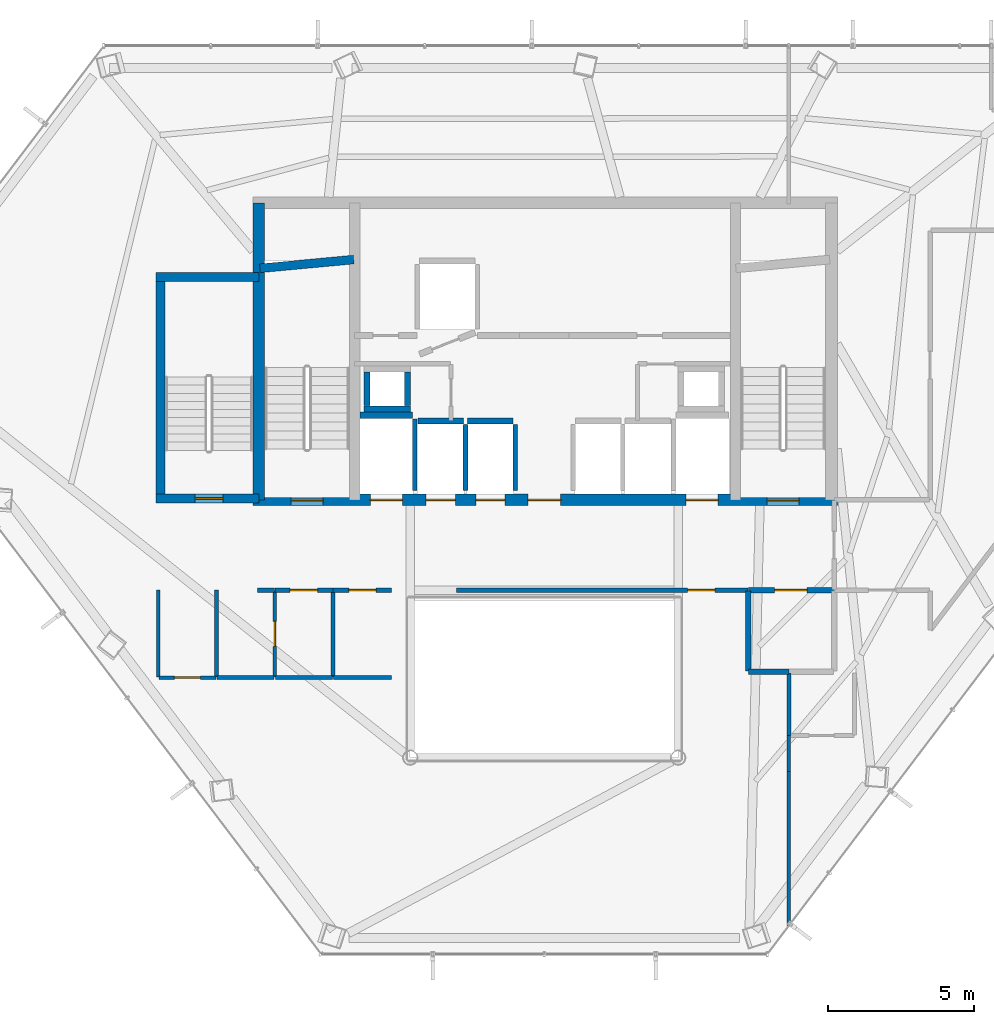
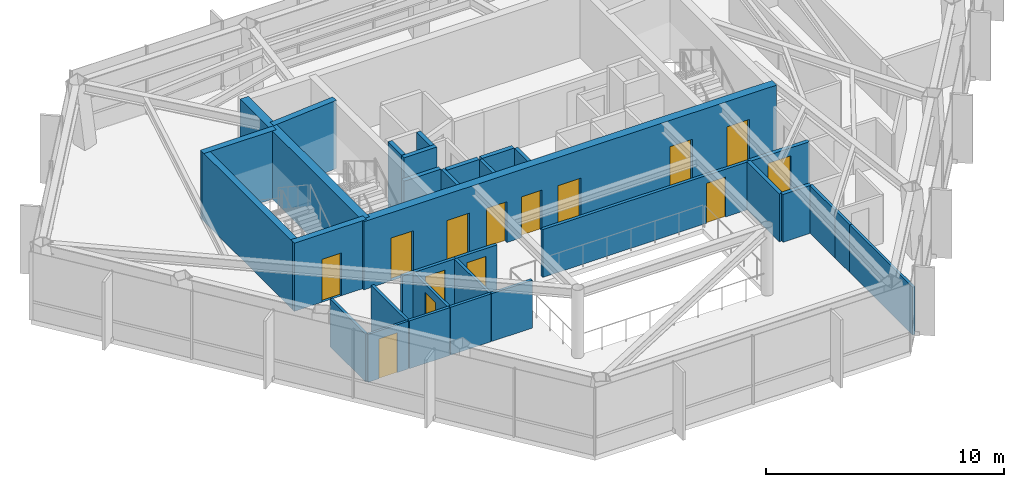
# One storey, part 24 of 27: 33 walls, 14 doors, 14 openings.
"""IFC4 building model written with IfcOpenShell, lengths in metres."""

from ifc_helpers import new_model, si_unit, direction, frame, frame_2d, origin, place, context, subcontext, project, spatial, rectangle, extrude, material, layer, layer_set, type_object, element, fill, save


model = new_model("IFC4")

# Units and contexts
model_context = context("Model", 3, precision=1e-05, world=origin(), true_north=direction((0.0, 1.0)))
body_context = subcontext(model_context, "Body", "Model", "MODEL_VIEW")
ifc_project = project(units=[si_unit("LENGTHUNIT", "METRE"), si_unit("AREAUNIT", "SQUARE_METRE"), si_unit("VOLUMEUNIT", "CUBIC_METRE"), si_unit("PLANEANGLEUNIT", "RADIAN"), si_unit("MASSUNIT", "GRAM", prefix="KILO")], contexts=[model_context])

# Site, building, storey
site_placement = place(None, origin())
site = spatial("IfcSite", under=ifc_project, at=site_placement, CompositionType="ELEMENT")
building_placement = place(site_placement, origin())
building = spatial("IfcBuilding", under=site, at=building_placement, Name="Zarrinselat Tower", CompositionType="ELEMENT")
storey_placement = place(building_placement, frame((0.0, 0.0, 172.0400390625)))
storey = spatial("IfcBuildingStorey", under=building, at=storey_placement, Name="L42", CompositionType="ELEMENT", Elevation=172.0400390625)

# Wall, opening, door
ifc_material_1 = material(Name="Concrete C40/50", Category="concrete")
ifc_layer_1 = layer(ifc_material_1, 0.18994140625)
ifc_layer_set_1 = layer_set([ifc_layer_1], Name="Concrete C40/50")
wall_type_1 = type_object("IfcWallType", Name="WAL-PART-EI120", PredefinedType="PARTITIONING", material=ifc_layer_set_1)
wall_1_placement = place(storey_placement, frame((45.405029296875, 30.14990234375, 0.0), z_axis=(0.0, 0.0, 1.0), x_axis=(1.0, 0.0, 0.0)))
wall_1 = element("IfcWall", 1, at=wall_1_placement, inside=storey, type_object=wall_type_1, Name="L42 Partition Wall 9", PredefinedType="PARTITIONING", context=body_context, shape_type="SweptSolid", body=[
    extrude(rectangle(XDim=2.925048828125, YDim=0.18994140625, at=frame_2d((1.46240234375, 0.0))), origin(), (0.0, 0.0, 1.0), 2.45703125),
])
opening_1_placement = place(wall_1_placement, frame((0.902587890625, 0.0, 0.0)))
opening_1 = element("IfcOpeningElement", 2, at=opening_1_placement, cuts=wall_1, Name="Opening ID-02", PredefinedType="OPENING", context=body_context, shape_type="SweptSolid", body=[
    extrude(rectangle(XDim=1.1201171875, YDim=2.050048828125, at=frame_2d((0.56005859375, 1.02490234375))), frame((0.0, 0.10498046875, 0.0), z_axis=(0.0, -1.0, 0.0), x_axis=(1.0, 0.0, 0.0)), (0.0, 0.0, 1.0), 0.2099609375),
])
ifc_material_2 = material(Name="Steel S355J2", Category="steel")
door_type_1 = type_object("IfcDoorType", Name="DR-INT-FD60-W", OperationType="NOTDEFINED", PredefinedType="DOOR", material=ifc_material_2)
door_1_placement = place(opening_1_placement, origin())
door_1 = element("IfcDoor", 3, at=door_1_placement, inside=storey, type_object=door_type_1, Name="L42 Interior Door P9", OperationType="SINGLE_SWING_RIGHT", OverallHeight=2.050048828125, OverallWidth=1.1201171875, PredefinedType="DOOR", context=body_context, shape_type="SweptSolid", body=[
    extrude(rectangle(XDim=1.1201171875, YDim=2.050048828125, at=frame_2d((0.56005859375, 1.02490234375))), frame((0.0, 0.02490234375, 0.0), z_axis=(0.0, -1.0, 0.0), x_axis=(1.0, 0.0, 0.0)), (0.0, 0.0, 1.0), 0.050048828125),
])
fill(opening_1, door_1)

# Walls
wall_2_placement = place(storey_placement, frame((45.419921875, 27.35009765625, 0.0), z_axis=(0.0, 0.0, 1.0), x_axis=(1.0, 0.0, 0.0)))
element("IfcWall", 4, at=wall_2_placement, inside=storey, type_object=wall_type_1, Name="L42 Partition Wall 15", PredefinedType="PARTITIONING", context=body_context, shape_type="SweptSolid", body=[
    extrude(rectangle(XDim=1.375, YDim=0.18994140625, at=frame_2d((0.6875, 0.0))), origin(), (0.0, 0.0, 1.0), 2.45703125),
])
wall_3_placement = place(storey_placement, frame((45.39990234375, 27.3701171875, 0.0), z_axis=(0.0, 0.0, 1.0), x_axis=(0.0, 1.0, 0.0)))
element("IfcWall", 5, at=wall_3_placement, inside=storey, type_object=wall_type_1, Name="L42 Partition Wall 16", PredefinedType="PARTITIONING", context=body_context, shape_type="SweptSolid", body=[
    extrude(rectangle(XDim=2.759765625, YDim=0.18994140625, at=frame_2d((1.3798828125, 0.0))), origin(), (0.0, 0.0, 1.0), 2.45703125),
])
ifc_material_3 = material(Name="Fire-Rated Gypsum Board Partition", Category="gypsum")
ifc_layer_2 = layer(ifc_material_3, 0.14990234375)
ifc_layer_set_2 = layer_set([ifc_layer_2], Name="Fire-Rated Gypsum Board Partition")
wall_type_2 = type_object("IfcWallType", Name="WAL-PART-EI60", PredefinedType="PARTITIONING", material=ifc_layer_set_2)
wall_4_placement = place(storey_placement, frame((28.550048828125, 30.14990234375, 0.0), z_axis=(0.0, 0.0, 1.0), x_axis=(1.0, 0.0, 0.0)))
element("IfcWall", 6, at=wall_4_placement, inside=storey, type_object=wall_type_2, Name="L42 Partition Wall 11", PredefinedType="PARTITIONING", context=body_context, shape_type="SweptSolid", body=[
    extrude(rectangle(XDim=0.594970703125, YDim=0.14990234375, at=frame_2d((0.29736328125, 0.0))), origin(), (0.0, 0.0, 1.0), 2.45703125),
])

# Wall, opening, door
wall_5_placement = place(storey_placement, frame((29.155029296875, 30.14990234375, 0.0), z_axis=(0.0, 0.0, 1.0), x_axis=(1.0, 0.0, 0.0)))
wall_5 = element("IfcWall", 7, at=wall_5_placement, inside=storey, type_object=wall_type_2, Name="L42 Partition Wall 12", PredefinedType="PARTITIONING", context=body_context, shape_type="SweptSolid", body=[
    extrude(rectangle(XDim=1.989990234375, YDim=0.14990234375, at=frame_2d((0.9951171875, 0.0))), origin(), (0.0, 0.0, 1.0), 2.45703125),
])
opening_2_placement = place(wall_5_placement, frame((0.52490234375, 0.0, 0.0)))
opening_2 = element("IfcOpeningElement", 8, at=opening_2_placement, cuts=wall_5, Name="Opening ID-04", PredefinedType="OPENING", context=body_context, shape_type="SweptSolid", body=[
    extrude(rectangle(XDim=0.93994140625, YDim=2.050048828125, at=frame_2d((0.469970703125, 1.02490234375))), frame((0.0, 0.0849609375, 0.0), z_axis=(0.0, -1.0, 0.0), x_axis=(1.0, 0.0, 0.0)), (0.0, 0.0, 1.0), 0.169921875),
])
ifc_material_4 = material(Name="Fire-Rated Gypsum Board Partition")
door_type_2 = type_object("IfcDoorType", Name="DR-INT-FD30-ENT", OperationType="NOTDEFINED", PredefinedType="DOOR", material=ifc_material_4)
door_2_placement = place(opening_2_placement, origin())
door_2 = element("IfcDoor", 9, at=door_2_placement, inside=storey, type_object=door_type_2, Name="L42 Interior Door P12", OperationType="SINGLE_SWING_RIGHT", OverallHeight=2.050048828125, OverallWidth=0.93994140625, PredefinedType="DOOR", context=body_context, shape_type="SweptSolid", body=[
    extrude(rectangle(XDim=0.93994140625, YDim=2.050048828125, at=frame_2d((0.469970703125, 1.02490234375))), frame((0.0, 0.02490234375, 0.0), z_axis=(0.0, -1.0, 0.0), x_axis=(1.0, 0.0, 0.0)), (0.0, 0.0, 1.0), 0.050048828125),
])
fill(opening_2, door_2)

wall_6_placement = place(storey_placement, frame((31.155029296875, 30.14990234375, 0.0), z_axis=(0.0, 0.0, 1.0), x_axis=(1.0, 0.0, 0.0)))
wall_6 = element("IfcWall", 10, at=wall_6_placement, inside=storey, type_object=wall_type_2, Name="L42 Partition Wall 13", PredefinedType="PARTITIONING", context=body_context, shape_type="SweptSolid", body=[
    extrude(rectangle(XDim=2.010009765625, YDim=0.14990234375, at=frame_2d((1.0048828125, 0.0))), origin(), (0.0, 0.0, 1.0), 2.45703125),
])
opening_3_placement = place(wall_6_placement, frame((0.534912109375, 0.0, 0.0)))
opening_3 = element("IfcOpeningElement", 11, at=opening_3_placement, cuts=wall_6, Name="Opening ID-04", PredefinedType="OPENING", context=body_context, shape_type="SweptSolid", body=[
    extrude(rectangle(XDim=0.93994140625, YDim=2.050048828125, at=frame_2d((0.469970703125, 1.02490234375))), frame((0.0, 0.0849609375, 0.0), z_axis=(0.0, -1.0, 0.0), x_axis=(1.0, 0.0, 0.0)), (0.0, 0.0, 1.0), 0.169921875),
])
door_3_placement = place(opening_3_placement, origin())
door_3 = element("IfcDoor", 12, at=door_3_placement, inside=storey, type_object=door_type_2, Name="L42 Interior Door P13", OperationType="SINGLE_SWING_LEFT", OverallHeight=2.050048828125, OverallWidth=0.93994140625, PredefinedType="DOOR", context=body_context, shape_type="SweptSolid", body=[
    extrude(rectangle(XDim=0.93994140625, YDim=2.050048828125, at=frame_2d((0.469970703125, 1.02490234375))), frame((0.0, 0.02490234375, 0.0), z_axis=(0.0, -1.0, 0.0), x_axis=(1.0, 0.0, 0.0)), (0.0, 0.0, 1.0), 0.050048828125),
])
fill(opening_3, door_3)

wall_7_placement = place(storey_placement, frame((35.385009765625, 30.14990234375, 0.0), z_axis=(0.0, 0.0, 1.0), x_axis=(1.0, 0.0, 0.0)))
wall_7 = element("IfcWall", 13, at=wall_7_placement, inside=storey, type_object=wall_type_2, Name="L42 Partition Wall 14", PredefinedType="PARTITIONING", context=body_context, shape_type="SweptSolid", body=[
    extrude(rectangle(XDim=10.010009765625, YDim=0.14990234375, at=frame_2d((5.0048828125, 0.0))), origin(), (0.0, 0.0, 1.0), 2.45703125),
])
opening_4_placement = place(wall_7_placement, frame((7.93505859375, 0.0, 0.0)))
opening_4 = element("IfcOpeningElement", 14, at=opening_4_placement, cuts=wall_7, Name="Opening ID-04", PredefinedType="OPENING", context=body_context, shape_type="SweptSolid", body=[
    extrude(rectangle(XDim=0.93994140625, YDim=2.050048828125, at=frame_2d((0.469970703125, 1.02490234375))), frame((0.0, 0.0849609375, 0.0), z_axis=(0.0, -1.0, 0.0), x_axis=(1.0, 0.0, 0.0)), (0.0, 0.0, 1.0), 0.169921875),
])
door_4_placement = place(opening_4_placement, origin())
door_4 = element("IfcDoor", 15, at=door_4_placement, inside=storey, type_object=door_type_2, Name="L42 Interior Door P14", OperationType="SINGLE_SWING_RIGHT", OverallHeight=2.050048828125, OverallWidth=0.93994140625, PredefinedType="DOOR", context=body_context, shape_type="SweptSolid", body=[
    extrude(rectangle(XDim=0.93994140625, YDim=2.050048828125, at=frame_2d((0.469970703125, 1.02490234375))), frame((0.0, 0.02490234375, 0.0), z_axis=(0.0, -1.0, 0.0), x_axis=(1.0, 0.0, 0.0)), (0.0, 0.0, 1.0), 0.050048828125),
])
fill(opening_4, door_4)

ifc_material_5 = material(Name="Fire-Rated Gypsum Board Partition", Category="gypsum")
ifc_layer_3 = layer(ifc_material_5, 0.1201171875)
ifc_layer_set_3 = layer_set([ifc_layer_3], Name="Fire-Rated Gypsum Board Partition")
wall_type_3 = type_object("IfcWallType", Name="WAL-PART-STD", PredefinedType="PARTITIONING", material=ifc_layer_set_3)
wall_8_placement = place(storey_placement, frame((25.169921875, 27.14990234375, 0.0), z_axis=(0.0, 0.0, 1.0), x_axis=(1.0, 0.0, 0.0)))
wall_8 = element("IfcWall", 16, at=wall_8_placement, inside=storey, type_object=wall_type_3, Name="L42 Partition Wall 29", PredefinedType="PARTITIONING", context=body_context, shape_type="SweptSolid", body=[
    extrude(rectangle(XDim=1.9599609375, YDim=0.1201171875, at=frame_2d((0.97998046875, 0.0))), origin(), (0.0, 0.0, 1.0), 2.45703125),
])
opening_5_placement = place(wall_8_placement, frame((0.530029296875, 0.0, 0.0)))
opening_5 = element("IfcOpeningElement", 17, at=opening_5_placement, cuts=wall_8, Name="Opening ID-05", PredefinedType="OPENING", context=body_context, shape_type="SweptSolid", body=[
    extrude(rectangle(XDim=0.89990234375, YDim=2.050048828125, at=frame_2d((0.449951171875, 1.02490234375))), frame((0.0, 0.070068359375, 0.0), z_axis=(0.0, -1.0, 0.0), x_axis=(1.0, 0.0, 0.0)), (0.0, 0.0, 1.0), 0.14013671875),
])
ifc_material_6 = material(Name="Extruded Aluminium Alloy EN AW-6063 T6", Category="aluminium")
door_type_3 = type_object("IfcDoorType", Name="DR-INT-STD-920", OperationType="NOTDEFINED", PredefinedType="DOOR", material=ifc_material_6)
door_5_placement = place(opening_5_placement, origin())
door_5 = element("IfcDoor", 18, at=door_5_placement, inside=storey, type_object=door_type_3, Name="L42 Interior Door P29", OperationType="SINGLE_SWING_LEFT", OverallHeight=2.050048828125, OverallWidth=0.89990234375, PredefinedType="DOOR", context=body_context, shape_type="SweptSolid", body=[
    extrude(rectangle(XDim=0.89990234375, YDim=2.050048828125, at=frame_2d((0.449951171875, 1.02490234375))), frame((0.0, 0.02490234375, 0.0), z_axis=(0.0, -1.0, 0.0), x_axis=(1.0, 0.0, 0.0)), (0.0, 0.0, 1.0), 0.050048828125),
])
fill(opening_5, door_5)

# Walls
wall_9_placement = place(storey_placement, frame((25.14990234375, 27.169921875, 0.0), z_axis=(0.0, 0.0, 1.0), x_axis=(0.0, 1.0, 0.0)))
element("IfcWall", 19, at=wall_9_placement, inside=storey, type_object=wall_type_3, Name="L42 Partition Wall 30", PredefinedType="PARTITIONING", context=body_context, shape_type="SweptSolid", body=[
    extrude(rectangle(XDim=2.97998046875, YDim=0.1201171875, at=frame_2d((1.489990234375, 0.0))), origin(), (0.0, 0.0, 1.0), 2.45703125),
])
wall_10_placement = place(storey_placement, frame((46.800048828125, 23.931640625, 0.0), z_axis=(0.0, 0.0, 1.0), x_axis=(0.0, 1.0, 0.0)))
element("IfcWall", 20, at=wall_10_placement, inside=storey, type_object=wall_type_3, Name="L42 Partition Wall 36", PredefinedType="PARTITIONING", context=body_context, shape_type="SweptSolid", body=[
    extrude(rectangle(XDim=1.227783203125, YDim=0.1201171875, at=frame_2d((0.61376953125, 0.0))), origin(), (0.0, 0.0, 1.0), 2.45703125),
])
wall_11_placement = place(storey_placement, frame((46.800048828125, 18.641845703125, 0.0), z_axis=(0.0, 0.0, 1.0), x_axis=(0.0, 1.0, 0.0)))
element("IfcWall", 21, at=wall_11_placement, inside=storey, type_object=wall_type_3, Name="L42 Partition Wall 37", PredefinedType="PARTITIONING", context=body_context, shape_type="SweptSolid", body=[
    extrude(rectangle(XDim=5.289794921875, YDim=0.1201171875, at=frame_2d((2.64501953125, 0.0))), origin(), (0.0, 0.0, 1.0), 2.45703125),
])
ifc_material_7 = material(Name="Fire-Rated Gypsum Board Partition", Category="gypsum")
ifc_layer_4 = layer(ifc_material_7, 0.135009765625)
ifc_layer_set_4 = layer_set([ifc_layer_4], Name="Fire-Rated Gypsum Board Partition")
wall_type_4 = type_object("IfcWallType", Name="WAL-PART-WET", PredefinedType="PARTITIONING", material=ifc_layer_set_4)
wall_12_placement = place(storey_placement, frame((27.14990234375, 27.169921875, 0.0), z_axis=(0.0, 0.0, 1.0), x_axis=(0.0, 1.0, 0.0)))
element("IfcWall", 22, at=wall_12_placement, inside=storey, type_object=wall_type_4, Name="L42 Partition Wall 28", PredefinedType="PARTITIONING", context=body_context, shape_type="SweptSolid", body=[
    extrude(rectangle(XDim=2.97998046875, YDim=0.135009765625, at=frame_2d((1.489990234375, 0.0))), origin(), (0.0, 0.0, 1.0), 2.45703125),
])

# Wall, opening, door
wall_13_placement = place(storey_placement, frame((29.14990234375, 27.169921875, 0.0), z_axis=(0.0, 0.0, 1.0), x_axis=(0.0, 1.0, 0.0)))
wall_13 = element("IfcWall", 23, at=wall_13_placement, inside=storey, type_object=wall_type_4, Name="L42 Partition Wall 31", PredefinedType="PARTITIONING", context=body_context, shape_type="SweptSolid", body=[
    extrude(rectangle(XDim=2.9599609375, YDim=0.135009765625, at=frame_2d((1.47998046875, 0.0))), origin(), (0.0, 0.0, 1.0), 2.45703125),
])
opening_6_placement = place(wall_13_placement, frame((1.050048828125, 0.0, 0.0)))
opening_6 = element("IfcOpeningElement", 24, at=opening_6_placement, cuts=wall_13, Name="Opening ID-06", PredefinedType="OPENING", context=body_context, shape_type="SweptSolid", body=[
    extrude(rectangle(XDim=0.860107421875, YDim=2.050048828125, at=frame_2d((0.43017578125, 1.02490234375))), frame((0.0, 0.077392578125, 0.0), z_axis=(0.0, -1.0, 0.0), x_axis=(1.0, 0.0, 0.0)), (0.0, 0.0, 1.0), 0.155029296875),
])
ifc_material_8 = material(Name="Extruded Aluminium Alloy EN AW-6063 T6", Category="aluminium")
door_type_4 = type_object("IfcDoorType", Name="DR-INT-WET-900", OperationType="NOTDEFINED", PredefinedType="DOOR", material=ifc_material_8)
door_6_placement = place(opening_6_placement, origin())
door_6 = element("IfcDoor", 25, at=door_6_placement, inside=storey, type_object=door_type_4, Name="L42 Interior Door P31", OperationType="SINGLE_SWING_RIGHT", OverallHeight=2.050048828125, OverallWidth=0.860107421875, PredefinedType="DOOR", context=body_context, shape_type="SweptSolid", body=[
    extrude(rectangle(XDim=0.860107421875, YDim=2.050048828125, at=frame_2d((0.43017578125, 1.02490234375))), frame((0.0, 0.02490234375, 0.0), z_axis=(0.0, -1.0, 0.0), x_axis=(1.0, 0.0, 0.0)), (0.0, 0.0, 1.0), 0.050048828125),
])
fill(opening_6, door_6)

# Walls
wall_14_placement = place(storey_placement, frame((27.169921875, 27.14990234375, 0.0), z_axis=(0.0, 0.0, 1.0), x_axis=(1.0, 0.0, 0.0)))
element("IfcWall", 26, at=wall_14_placement, inside=storey, type_object=wall_type_4, Name="L42 Partition Wall 32", PredefinedType="PARTITIONING", context=body_context, shape_type="SweptSolid", body=[
    extrude(rectangle(XDim=1.9599609375, YDim=0.135009765625, at=frame_2d((0.97998046875, 0.0))), origin(), (0.0, 0.0, 1.0), 2.45703125),
])
wall_15_placement = place(storey_placement, frame((31.14990234375, 27.169921875, 0.0), z_axis=(0.0, 0.0, 1.0), x_axis=(0.0, 1.0, 0.0)))
element("IfcWall", 27, at=wall_15_placement, inside=storey, type_object=wall_type_4, Name="L42 Partition Wall 33", PredefinedType="PARTITIONING", context=body_context, shape_type="SweptSolid", body=[
    extrude(rectangle(XDim=2.9599609375, YDim=0.135009765625, at=frame_2d((1.47998046875, 0.0))), origin(), (0.0, 0.0, 1.0), 2.45703125),
])
wall_16_placement = place(storey_placement, frame((29.169921875, 27.14990234375, 0.0), z_axis=(0.0, 0.0, 1.0), x_axis=(1.0, 0.0, 0.0)))
element("IfcWall", 28, at=wall_16_placement, inside=storey, type_object=wall_type_4, Name="L42 Partition Wall 34", PredefinedType="PARTITIONING", context=body_context, shape_type="SweptSolid", body=[
    extrude(rectangle(XDim=1.9599609375, YDim=0.135009765625, at=frame_2d((0.97998046875, 0.0))), origin(), (0.0, 0.0, 1.0), 2.45703125),
])
wall_17_placement = place(storey_placement, frame((31.169921875, 27.14990234375, 0.0), z_axis=(0.0, 0.0, 1.0), x_axis=(1.0, 0.0, 0.0)))
element("IfcWall", 29, at=wall_17_placement, inside=storey, type_object=wall_type_4, Name="L42 Partition Wall 35", PredefinedType="PARTITIONING", context=body_context, shape_type="SweptSolid", body=[
    extrude(rectangle(XDim=1.97998046875, YDim=0.135009765625, at=frame_2d((0.989990234375, 0.0))), origin(), (0.0, 0.0, 1.0), 2.45703125),
])
wall_18_placement = place(storey_placement, frame((46.800048828125, 25.16943359375, 0.0), z_axis=(0.0, 0.0, 1.0), x_axis=(0.0, 1.0, 0.0)))
element("IfcWall", 30, at=wall_18_placement, inside=storey, type_object=wall_type_4, Name="L42 Partition Wall 38", PredefinedType="PARTITIONING", context=body_context, shape_type="SweptSolid", body=[
    extrude(rectangle(XDim=2.139892578125, YDim=0.135009765625, at=frame_2d((1.06982421875, 0.0))), origin(), (0.0, 0.0, 1.0), 2.45703125),
])
ifc_material_9 = material(Name="Concrete C40/50", Category="concrete")
ifc_layer_5 = layer(ifc_material_9, 0.2099609375)
ifc_layer_set_5 = layer_set([ifc_layer_5], Name="Concrete C40/50")
wall_type_5 = type_object("IfcWallType", Name="WAL-SHAFT-210", PredefinedType="SOLIDWALL", material=ifc_layer_set_5)
wall_19_placement = place(storey_placement, frame((32.080078125, 36.155029296875, 0.0), z_axis=(0.0, 0.0, 1.0), x_axis=(1.0, 0.0, 0.0)))
element("IfcWall", 31, at=wall_19_placement, inside=storey, type_object=wall_type_5, Name="L42 Lift FFL1 North Shaft Wall", PredefinedType="SOLIDWALL", context=body_context, shape_type="SweptSolid", body=[
    extrude(rectangle(XDim=1.7998046875, YDim=0.2099609375, at=frame_2d((0.89990234375, 0.0))), origin(), (0.0, 0.0, 1.0), 2.471923828125),
])
wall_20_placement = place(storey_placement, frame((33.949951171875, 33.580078125, 0.0), z_axis=(0.0, 0.0, 1.0), x_axis=(0.0, 1.0, 0.0)))
element("IfcWall", 32, at=wall_20_placement, inside=storey, type_object=wall_type_5, Name="L42 Lift FFL1 E Shaft Wall", PredefinedType="SOLIDWALL", context=body_context, shape_type="SweptSolid", body=[
    extrude(rectangle(XDim=2.449951171875, YDim=0.159912109375, at=frame_2d((1.22509765625, 0.0))), origin(), (0.0, 0.0, 1.0), 2.471923828125),
])
wall_21_placement = place(storey_placement, frame((34.070068359375, 35.955078125, 0.0), z_axis=(0.0, 0.0, 1.0), x_axis=(1.0, 0.0, 0.0)))
element("IfcWall", 33, at=wall_21_placement, inside=storey, type_object=wall_type_5, Name="L42 Lift PL5 North Shaft Wall", PredefinedType="SOLIDWALL", context=body_context, shape_type="SweptSolid", body=[
    extrude(rectangle(XDim=1.559814453125, YDim=0.2099609375, at=frame_2d((0.77978515625, 0.0))), origin(), (0.0, 0.0, 1.0), 2.471923828125),
])
wall_22_placement = place(storey_placement, frame((35.699951171875, 33.580078125, 0.0), z_axis=(0.0, 0.0, 1.0), x_axis=(0.0, 1.0, 0.0)))
element("IfcWall", 34, at=wall_22_placement, inside=storey, type_object=wall_type_5, Name="L42 Lift PL5 E Shaft Wall", PredefinedType="SOLIDWALL", context=body_context, shape_type="SweptSolid", body=[
    extrude(rectangle(XDim=2.25, YDim=0.159912109375, at=frame_2d((1.125, 0.0))), origin(), (0.0, 0.0, 1.0), 2.471923828125),
])
wall_23_placement = place(storey_placement, frame((35.77001953125, 35.955078125, 0.0), z_axis=(0.0, 0.0, 1.0), x_axis=(1.0, 0.0, 0.0)))
element("IfcWall", 35, at=wall_23_placement, inside=storey, type_object=wall_type_5, Name="L42 Lift PL6 North Shaft Wall", PredefinedType="SOLIDWALL", context=body_context, shape_type="SweptSolid", body=[
    extrude(rectangle(XDim=1.56005859375, YDim=0.2099609375, at=frame_2d((0.780029296875, 0.0))), origin(), (0.0, 0.0, 1.0), 2.471923828125),
])
wall_24_placement = place(storey_placement, frame((37.39990234375, 33.580078125, 0.0), z_axis=(0.0, 0.0, 1.0), x_axis=(0.0, 1.0, 0.0)))
element("IfcWall", 36, at=wall_24_placement, inside=storey, type_object=wall_type_5, Name="L42 Lift PL6 E Shaft Wall", PredefinedType="SOLIDWALL", context=body_context, shape_type="SweptSolid", body=[
    extrude(rectangle(XDim=2.25, YDim=0.159912109375, at=frame_2d((1.125, 0.0))), origin(), (0.0, 0.0, 1.0), 2.471923828125),
])
wall_25_placement = place(storey_placement, frame((32.2099609375, 36.375, 0.0), z_axis=(0.0, 0.0, 1.0), x_axis=(1.0, 0.0, 0.0)))
element("IfcWall", 37, at=wall_25_placement, inside=storey, type_object=wall_type_5, Name="L42 Core Riser RSR-W S Shaft Wall", PredefinedType="SOLIDWALL", context=body_context, shape_type="SweptSolid", body=[
    extrude(rectangle(XDim=1.60009765625, YDim=0.2099609375, at=frame_2d((0.800048828125, 0.0))), origin(), (0.0, 0.0, 1.0), 3.5),
])
for number, where, z_axis, x_axis, name in (
    (38, (32.31494140625, 36.485107421875, 0.0), (0.0, 0.0, 1.0), (0.0, 1.0, 0.0), "L42 Core Riser RSR-W W Shaft Wall"),
    (39, (33.705078125, 36.485107421875, 0.0), (0.0, 0.0, 1.0), (0.0, 1.0, 0.0), "L42 Core Riser RSR-W E Shaft Wall"),
):
    element("IfcWall", number, at=place(storey_placement, frame(where, z_axis=z_axis, x_axis=x_axis)), inside=storey, type_object=wall_type_5, Name=name, PredefinedType="SOLIDWALL", context=body_context, shape_type="SweptSolid", body=[
        extrude(rectangle(XDim=1.14990234375, YDim=0.2099609375, at=frame_2d((0.574951171875, 0.0))), origin(), (0.0, 0.0, 1.0), 3.5),
    ])
ifc_material_10 = material(Name="Concrete C40/50", Category="concrete")
ifc_layer_6 = layer(ifc_material_10, 0.300048828125)
ifc_layer_set_6 = layer_set([ifc_layer_6], Name="Concrete C40/50")
wall_type_6 = type_object("IfcWallType", Name="WAL-SHEAR-300", PredefinedType="SHEAR", material=ifc_layer_set_6)
wall_26_placement = place(storey_placement, frame((28.639892578125, 41.199951171875, 0.0), z_axis=(0.0, 0.0, 1.0), x_axis=(0.995687118776, 0.092774789157, 0.0)))
element("IfcWall", 40, at=wall_26_placement, inside=storey, type_object=wall_type_6, Name="L42 Stair 1 North Shaft Wall", PredefinedType="SHEAR", context=body_context, shape_type="SweptSolid", body=[
    extrude(rectangle(XDim=3.234130859375, YDim=0.300048828125, at=frame_2d((1.6171875, 0.0))), origin(), (0.0, 0.0, 1.0), 3.5),
])
wall_27_placement = place(storey_placement, frame((25.080078125, 40.89990234375, 0.0), z_axis=(0.0, 0.0, 1.0), x_axis=(1.0, 0.0, 0.0)))
element("IfcWall", 41, at=wall_27_placement, inside=storey, type_object=wall_type_6, Name="L42 Stair 3 North Shear Wall", PredefinedType="SHEAR", context=body_context, shape_type="SweptSolid", body=[
    extrude(rectangle(XDim=3.52001953125, YDim=0.300048828125, at=frame_2d((1.760009765625, 0.0))), origin(), (0.0, 0.0, 1.0), 3.5),
])

# Wall, opening, door
wall_28_placement = place(storey_placement, frame((25.080078125, 33.300048828125, 0.0), z_axis=(0.0, 0.0, 1.0), x_axis=(1.0, 0.0, 0.0)))
wall_28 = element("IfcWall", 42, at=wall_28_placement, inside=storey, type_object=wall_type_6, Name="L42 Stair 3 South Shear Wall", PredefinedType="SHEAR", context=body_context, shape_type="SweptSolid", body=[
    extrude(rectangle(XDim=3.52001953125, YDim=0.300048828125, at=frame_2d((1.760009765625, 0.0))), origin(), (0.0, 0.0, 1.0), 3.5),
])
opening_7_placement = place(wall_28_placement, frame((1.3349609375, 0.0, 0.0)))
opening_7 = element("IfcOpeningElement", 43, at=opening_7_placement, cuts=wall_28, Name="Opening SD-02", PredefinedType="OPENING", context=body_context, shape_type="SweptSolid", body=[
    extrude(rectangle(XDim=0.949951171875, YDim=2.199951171875, at=frame_2d((0.47509765625, 1.10009765625))), frame((0.0, 0.159912109375, 0.0), z_axis=(0.0, -1.0, 0.0), x_axis=(1.0, 0.0, 0.0)), (0.0, 0.0, 1.0), 0.320068359375),
])
ifc_material_11 = material(Name="Steel S355J2", Category="steel")
door_type_5 = type_object("IfcDoorType", Name="DR-STAIR-1050", OperationType="NOTDEFINED", PredefinedType="DOOR", material=ifc_material_11)
door_7_placement = place(opening_7_placement, origin())
door_7 = element("IfcDoor", 44, at=door_7_placement, inside=storey, type_object=door_type_5, Name="L42 Exit Stair 3 Fire Door", OperationType="SINGLE_SWING_LEFT", OverallHeight=2.199951171875, OverallWidth=0.949951171875, PredefinedType="DOOR", context=body_context, shape_type="SweptSolid", body=[
    extrude(rectangle(XDim=0.949951171875, YDim=2.199951171875, at=frame_2d((0.47509765625, 1.10009765625))), frame((0.0, 0.02490234375, 0.0), z_axis=(0.0, -1.0, 0.0), x_axis=(1.0, 0.0, 0.0)), (0.0, 0.0, 1.0), 0.050048828125),
])
fill(opening_7, door_7)

# Wall
wall_29_placement = place(storey_placement, frame((25.22998046875, 33.300048828125, 0.0), z_axis=(0.0, 0.0, 1.0), x_axis=(0.0, 1.0, 0.0)))
element("IfcWall", 45, at=wall_29_placement, inside=storey, type_object=wall_type_6, Name="L42 Stair 3 West Shear Wall", PredefinedType="SHEAR", context=body_context, shape_type="SweptSolid", body=[
    extrude(rectangle(XDim=7.599853515625, YDim=0.300048828125, at=frame_2d((3.7998046875, 0.0))), origin(), (0.0, 0.0, 1.0), 3.5),
])

# Wall, openings, doors
ifc_material_12 = material(Name="Concrete C60/75", Category="concrete")
ifc_layer_7 = layer(ifc_material_12, 0.39990234375)
ifc_layer_set_7 = layer_set([ifc_layer_7], Name="Concrete C60/75")
wall_type_7 = type_object("IfcWallType", Name="WAL-SHEAR-400", PredefinedType="SHEAR", material=ifc_layer_set_7)
wall_30_placement = place(storey_placement, frame((28.39990234375, 33.25, 0.0), z_axis=(0.0, 0.0, 1.0), x_axis=(1.0, 0.0, 0.0)))
wall_30 = element("IfcWall", 46, at=wall_30_placement, inside=storey, type_object=wall_type_7, Name="L42 South Core Shear Wall", PredefinedType="SHEAR", context=body_context, shape_type="SweptSolid", body=[
    extrude(rectangle(XDim=20.06005859375, YDim=0.39990234375, at=frame_2d((10.030029296875, 0.0))), origin(), (0.0, 0.0, 1.0), 3.5),
])
opening_8_placement = place(wall_30_placement, frame((4.030029296875, 0.0, 0.0)))
opening_8 = element("IfcOpeningElement", 47, at=opening_8_placement, cuts=wall_30, Name="Opening LD-FFL1", PredefinedType="OPENING", context=body_context, shape_type="SweptSolid", body=[
    extrude(rectangle(XDim=1.10009765625, YDim=2.14990234375, at=frame_2d((0.550048828125, 1.074951171875))), frame((0.0, 0.2099609375, 0.0), z_axis=(0.0, -1.0, 0.0), x_axis=(1.0, 0.0, 0.0)), (0.0, 0.0, 1.0), 0.419921875),
])
opening_9_placement = place(wall_30_placement, frame((14.8701171875, 0.0, 0.0)))
opening_9 = element("IfcOpeningElement", 48, at=opening_9_placement, cuts=wall_30, Name="Opening LD-FFL2", PredefinedType="OPENING", context=body_context, shape_type="SweptSolid", body=[
    extrude(rectangle(XDim=1.10009765625, YDim=2.14990234375, at=frame_2d((0.550048828125, 1.074951171875))), frame((0.0, 0.2099609375, 0.0), z_axis=(0.0, -1.0, 0.0), x_axis=(1.0, 0.0, 0.0)), (0.0, 0.0, 1.0), 0.419921875),
])
opening_10_placement = place(wall_30_placement, frame((5.949951171875, 0.0, 0.0)))
opening_10 = element("IfcOpeningElement", 49, at=opening_10_placement, cuts=wall_30, Name="Opening LD-PL5", PredefinedType="OPENING", context=body_context, shape_type="SweptSolid", body=[
    extrude(rectangle(XDim=1.0, YDim=2.10009765625, at=frame_2d((0.5, 1.050048828125))), frame((0.0, 0.2099609375, 0.0), z_axis=(0.0, -1.0, 0.0), x_axis=(1.0, 0.0, 0.0)), (0.0, 0.0, 1.0), 0.419921875),
])
opening_11_placement = place(wall_30_placement, frame((7.64990234375, 0.0, 0.0)))
opening_11 = element("IfcOpeningElement", 50, at=opening_11_placement, cuts=wall_30, Name="Opening LD-PL6", PredefinedType="OPENING", context=body_context, shape_type="SweptSolid", body=[
    extrude(rectangle(XDim=1.0, YDim=2.10009765625, at=frame_2d((0.5, 1.050048828125))), frame((0.0, 0.2099609375, 0.0), z_axis=(0.0, -1.0, 0.0), x_axis=(1.0, 0.0, 0.0)), (0.0, 0.0, 1.0), 0.419921875),
])
opening_12_placement = place(wall_30_placement, frame((1.31005859375, 0.0, 0.0)))
opening_12 = element("IfcOpeningElement", 51, at=opening_12_placement, cuts=wall_30, Name="Opening SD-01", PredefinedType="OPENING", context=body_context, shape_type="SweptSolid", body=[
    extrude(rectangle(XDim=1.10009765625, YDim=2.199951171875, at=frame_2d((0.550048828125, 1.10009765625))), frame((0.0, 0.2099609375, 0.0), z_axis=(0.0, -1.0, 0.0), x_axis=(1.0, 0.0, 0.0)), (0.0, 0.0, 1.0), 0.419921875),
])
opening_13_placement = place(wall_30_placement, frame((9.43994140625, 0.0, 0.0)))
opening_13 = element("IfcOpeningElement", 52, at=opening_13_placement, cuts=wall_30, Name="Opening ID-02", PredefinedType="OPENING", context=body_context, shape_type="SweptSolid", body=[
    extrude(rectangle(XDim=1.1201171875, YDim=2.050048828125, at=frame_2d((0.56005859375, 1.02490234375))), frame((0.0, 0.2099609375, 0.0), z_axis=(0.0, -1.0, 0.0), x_axis=(1.0, 0.0, 0.0)), (0.0, 0.0, 1.0), 0.419921875),
])
opening_14_placement = place(wall_30_placement, frame((17.64990234375, 0.0, 0.0)))
opening_14 = element("IfcOpeningElement", 53, at=opening_14_placement, cuts=wall_30, Name="Opening SD-01", PredefinedType="OPENING", context=body_context, shape_type="SweptSolid", body=[
    extrude(rectangle(XDim=1.10009765625, YDim=2.199951171875, at=frame_2d((0.550048828125, 1.10009765625))), frame((0.0, 0.2099609375, 0.0), z_axis=(0.0, -1.0, 0.0), x_axis=(1.0, 0.0, 0.0)), (0.0, 0.0, 1.0), 0.419921875),
])
door_8_placement = place(opening_13_placement, origin())
door_8 = element("IfcDoor", 54, at=door_8_placement, inside=storey, type_object=door_type_1, Name="L42 Core Service Vestibule Fire Door", OperationType="SINGLE_SWING_RIGHT", OverallHeight=2.050048828125, OverallWidth=1.1201171875, PredefinedType="DOOR", context=body_context, shape_type="SweptSolid", body=[
    extrude(rectangle(XDim=1.1201171875, YDim=2.050048828125, at=frame_2d((0.56005859375, 1.02490234375))), frame((0.0, 0.02490234375, 0.0), z_axis=(0.0, -1.0, 0.0), x_axis=(1.0, 0.0, 0.0)), (0.0, 0.0, 1.0), 0.050048828125),
])
fill(opening_13, door_8)
ifc_material_13 = material(Name="Steel S355J2", Category="steel")
door_type_6 = type_object("IfcDoorType", Name="DR-LIFT-FF-1100", OperationType="NOTDEFINED", PredefinedType="DOOR", material=ifc_material_13)
door_9_placement = place(opening_8_placement, origin())
door_9 = element("IfcDoor", 55, at=door_9_placement, inside=storey, type_object=door_type_6, Name="L42 Lift FFL1 Sliding Landing Door", OperationType="SLIDING_TO_LEFT", OverallHeight=2.14990234375, OverallWidth=1.10009765625, PredefinedType="DOOR", context=body_context, shape_type="SweptSolid", body=[
    extrude(rectangle(XDim=1.10009765625, YDim=2.14990234375, at=frame_2d((0.550048828125, 1.074951171875))), frame((0.0, 0.02490234375, 0.0), z_axis=(0.0, -1.0, 0.0), x_axis=(1.0, 0.0, 0.0)), (0.0, 0.0, 1.0), 0.050048828125),
])
fill(opening_8, door_9)
door_10_placement = place(opening_9_placement, origin())
door_10 = element("IfcDoor", 56, at=door_10_placement, inside=storey, type_object=door_type_6, Name="L42 Lift FFL2 Sliding Landing Door", OperationType="SLIDING_TO_RIGHT", OverallHeight=2.14990234375, OverallWidth=1.10009765625, PredefinedType="DOOR", context=body_context, shape_type="SweptSolid", body=[
    extrude(rectangle(XDim=1.10009765625, YDim=2.14990234375, at=frame_2d((0.550048828125, 1.074951171875))), frame((0.0, 0.02490234375, 0.0), z_axis=(0.0, -1.0, 0.0), x_axis=(1.0, 0.0, 0.0)), (0.0, 0.0, 1.0), 0.050048828125),
])
fill(opening_9, door_10)
ifc_material_14 = material(Name="Steel S355J2", Category="steel")
door_type_7 = type_object("IfcDoorType", Name="DR-LIFT-PS-1000", OperationType="NOTDEFINED", PredefinedType="DOOR", material=ifc_material_14)
door_11_placement = place(opening_10_placement, origin())
door_11 = element("IfcDoor", 57, at=door_11_placement, inside=storey, type_object=door_type_7, Name="L42 Lift PL5 Sliding Landing Door", OperationType="SLIDING_TO_LEFT", OverallHeight=2.10009765625, OverallWidth=1.0, PredefinedType="DOOR", context=body_context, shape_type="SweptSolid", body=[
    extrude(rectangle(XDim=1.0, YDim=2.10009765625, at=frame_2d((0.5, 1.050048828125))), frame((0.0, 0.02490234375, 0.0), z_axis=(0.0, -1.0, 0.0), x_axis=(1.0, 0.0, 0.0)), (0.0, 0.0, 1.0), 0.050048828125),
])
fill(opening_10, door_11)
door_12_placement = place(opening_11_placement, origin())
door_12 = element("IfcDoor", 58, at=door_12_placement, inside=storey, type_object=door_type_7, Name="L42 Lift PL6 Sliding Landing Door", OperationType="SLIDING_TO_RIGHT", OverallHeight=2.10009765625, OverallWidth=1.0, PredefinedType="DOOR", context=body_context, shape_type="SweptSolid", body=[
    extrude(rectangle(XDim=1.0, YDim=2.10009765625, at=frame_2d((0.5, 1.050048828125))), frame((0.0, 0.02490234375, 0.0), z_axis=(0.0, -1.0, 0.0), x_axis=(1.0, 0.0, 0.0)), (0.0, 0.0, 1.0), 0.050048828125),
])
fill(opening_11, door_12)
ifc_material_15 = material(Name="Steel S355J2", Category="steel")
door_type_8 = type_object("IfcDoorType", Name="DR-STAIR-1100", OperationType="NOTDEFINED", PredefinedType="DOOR", material=ifc_material_15)
door_13_placement = place(opening_12_placement, origin())
door_13 = element("IfcDoor", 59, at=door_13_placement, inside=storey, type_object=door_type_8, Name="L42 Exit Stair 1 Fire Door", OperationType="SINGLE_SWING_LEFT", OverallHeight=2.199951171875, OverallWidth=1.10009765625, PredefinedType="DOOR", context=body_context, shape_type="SweptSolid", body=[
    extrude(rectangle(XDim=1.10009765625, YDim=2.199951171875, at=frame_2d((0.550048828125, 1.10009765625))), frame((0.0, 0.02490234375, 0.0), z_axis=(0.0, -1.0, 0.0), x_axis=(1.0, 0.0, 0.0)), (0.0, 0.0, 1.0), 0.050048828125),
])
fill(opening_12, door_13)
door_14_placement = place(opening_14_placement, origin())
door_14 = element("IfcDoor", 60, at=door_14_placement, inside=storey, type_object=door_type_8, Name="L42 Exit Stair 2 Fire Door", OperationType="SINGLE_SWING_RIGHT", OverallHeight=2.199951171875, OverallWidth=1.10009765625, PredefinedType="DOOR", context=body_context, shape_type="SweptSolid", body=[
    extrude(rectangle(XDim=1.10009765625, YDim=2.199951171875, at=frame_2d((0.550048828125, 1.10009765625))), frame((0.0, 0.02490234375, 0.0), z_axis=(0.0, -1.0, 0.0), x_axis=(1.0, 0.0, 0.0)), (0.0, 0.0, 1.0), 0.050048828125),
])
fill(opening_14, door_14)

# Wall
wall_31_placement = place(storey_placement, frame((28.60009765625, 33.25, 0.0), z_axis=(0.0, 0.0, 1.0), x_axis=(0.0, 1.0, 0.0)))
element("IfcWall", 61, at=wall_31_placement, inside=storey, type_object=wall_type_7, Name="L42 Core Shear Wall W", PredefinedType="SHEAR", context=body_context, shape_type="SweptSolid", body=[
    extrude(rectangle(XDim=10.199951171875, YDim=0.39990234375, at=frame_2d((5.10009765625, 0.0))), origin(), (0.0, 0.0, 1.0), 3.5),
])

save(model, "model.ifc")
